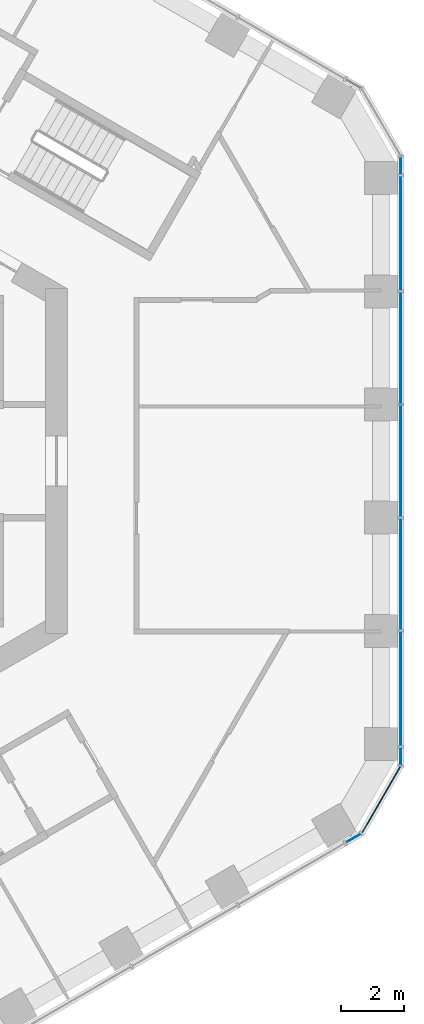
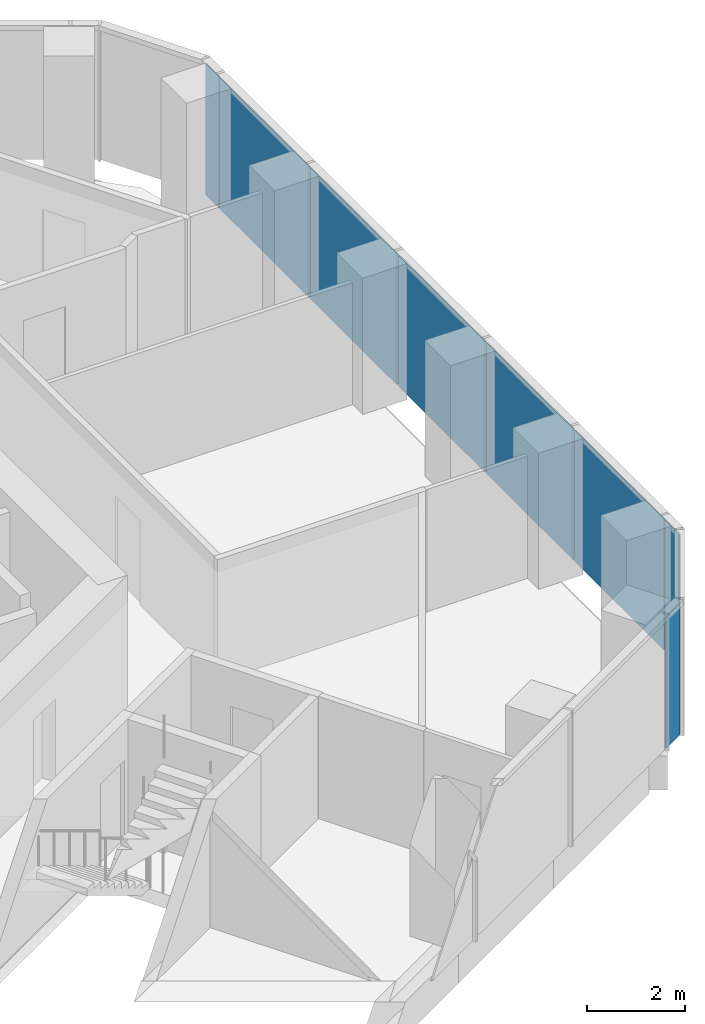
# One storey, part 11 of 19: 9 plates, 3 elements without a shape of their own.
"""IFC4 building model written with IfcOpenShell, lengths in metres."""

from ifc_helpers import new_model, si_unit, direction, frame, origin, origin_2d, place, context, subcontext, project, spatial, rectangle, extrude, material, layer, layer_set, type_object, element, aggregate, save


model = new_model("IFC4")

# Units and contexts
model_context = context("Model", 3, precision=1e-05, world=origin(), true_north=direction((0.0, 1.0)))
body_context = subcontext(model_context, "Body", "Model", "MODEL_VIEW")
ifc_project = project(units=[si_unit("LENGTHUNIT", "METRE"), si_unit("AREAUNIT", "SQUARE_METRE"), si_unit("VOLUMEUNIT", "CUBIC_METRE"), si_unit("PLANEANGLEUNIT", "RADIAN"), si_unit("MASSUNIT", "GRAM", prefix="KILO")], contexts=[model_context])

# Site, building, storey
site_placement = place(None, origin())
site = spatial("IfcSite", under=ifc_project, at=site_placement, CompositionType="ELEMENT")
building_placement = place(site_placement, origin())
building = spatial("IfcBuilding", under=site, at=building_placement, Name="Ayvan Gate Tower", CompositionType="ELEMENT")
storey_placement = place(building_placement, frame((0.0, 0.0, 106.89990234375)))
storey = spatial("IfcBuildingStorey", under=building, at=storey_placement, Name="L28", CompositionType="ELEMENT", Elevation=106.89990234375)

# Curtain wall, plates
ifc_material_1 = material(Name="Bronze anodised aluminium", Category="aluminium")
ifc_layer_1 = layer(ifc_material_1, 0.199951171875)
ifc_layer_set_1 = layer_set([ifc_layer_1], Name="Bronze anodised aluminium")
curtain_wall_type_1 = type_object("IfcCurtainWallType", Name="Stick curtain wall CW-1", PredefinedType="NOTDEFINED", material=ifc_layer_set_1)
curtain_wall_1_placement = place(storey_placement, origin())
curtain_wall_1 = element("IfcCurtainWall", 1, at=curtain_wall_1_placement, inside=storey, type_object=curtain_wall_type_1, Name="Stick curtain wall CW-1 L28", PredefinedType="NOTDEFINED")
ifc_material_2 = material(Name="Clear low-iron laminated glass", Category="glass")
ifc_layer_2 = layer(ifc_material_2, 0.028076171875)
ifc_layer_set_2 = layer_set([ifc_layer_2], Name="Clear low-iron laminated glass")
plate_type_1 = type_object("IfcPlateType", Name="Stick curtain wall CW-1 glass panel", PredefinedType="CURTAIN_PANEL", material=ifc_layer_set_2)
plate_1_placement = place(storey_placement, frame((20.110595703125, -7.261474609375, 0.0), z_axis=(0.0, 0.0, 1.0), x_axis=(0.0, 1.0, 0.0)))
plate_1 = element("IfcPlate", 2, at=plate_1_placement, type_object=plate_type_1, Name="CW-1 glass panel 1", PredefinedType="CURTAIN_PANEL", context=body_context, shape_type="SweptSolid", body=[
    extrude(rectangle(XDim=3.657958984375, YDim=0.028076171875, at=origin_2d()), origin(), (0.0, 0.0, 1.0), 3.280029296875),
])
plate_2_placement = place(storey_placement, frame((20.110595703125, -3.6015625, 0.0), z_axis=(0.0, 0.0, 1.0), x_axis=(0.0, 1.0, 0.0)))
plate_2 = element("IfcPlate", 3, at=plate_2_placement, type_object=plate_type_1, Name="CW-1 glass panel 2", PredefinedType="CURTAIN_PANEL", context=body_context, shape_type="SweptSolid", body=[
    extrude(rectangle(XDim=3.5419921875, YDim=0.028076171875, at=origin_2d()), origin(), (0.0, 0.0, 1.0), 3.280029296875),
])
plate_3_placement = place(storey_placement, frame((20.110595703125, 0.0, 0.0), z_axis=(0.0, 0.0, 1.0), x_axis=(0.0, 1.0, 0.0)))
plate_3 = element("IfcPlate", 4, at=plate_3_placement, type_object=plate_type_1, Name="CW-1 glass panel 3", PredefinedType="CURTAIN_PANEL", context=body_context, shape_type="SweptSolid", body=[
    extrude(rectangle(XDim=3.541015625, YDim=0.028076171875, at=origin_2d()), origin(), (0.0, 0.0, 1.0), 3.280029296875),
])
plate_4_placement = place(storey_placement, frame((20.110595703125, 3.6015625, 0.0), z_axis=(0.0, 0.0, 1.0), x_axis=(0.0, 1.0, 0.0)))
plate_4 = element("IfcPlate", 5, at=plate_4_placement, type_object=plate_type_1, Name="CW-1 glass panel 4", PredefinedType="CURTAIN_PANEL", context=body_context, shape_type="SweptSolid", body=[
    extrude(rectangle(XDim=3.5419921875, YDim=0.028076171875, at=origin_2d()), origin(), (0.0, 0.0, 1.0), 3.280029296875),
])
plate_5_placement = place(storey_placement, frame((20.110595703125, 7.261474609375, 0.0), z_axis=(0.0, 0.0, 1.0), x_axis=(0.0, 1.0, 0.0)))
plate_5 = element("IfcPlate", 6, at=plate_5_placement, type_object=plate_type_1, Name="CW-1 glass panel 5", PredefinedType="CURTAIN_PANEL", context=body_context, shape_type="SweptSolid", body=[
    extrude(rectangle(XDim=3.657958984375, YDim=0.028076171875, at=origin_2d()), origin(), (0.0, 0.0, 1.0), 3.280029296875),
])
aggregate(curtain_wall_1, [plate_1, plate_2, plate_3, plate_4, plate_5])

ifc_layer_3 = layer(ifc_material_1, 0.199951171875)
ifc_layer_set_3 = layer_set([ifc_layer_3], Name="Bronze anodised aluminium")
curtain_wall_type_2 = type_object("IfcCurtainWallType", Name="Stick curtain wall CW-6", PredefinedType="NOTDEFINED", material=ifc_layer_set_3)
curtain_wall_2_placement = place(storey_placement, origin())
curtain_wall_2 = element("IfcCurtainWall", 7, at=curtain_wall_2_placement, inside=storey, type_object=curtain_wall_type_2, Name="Stick curtain wall CW-6 L28", PredefinedType="NOTDEFINED")
ifc_layer_4 = layer(ifc_material_2, 0.028076171875)
ifc_layer_set_4 = layer_set([ifc_layer_4], Name="Clear low-iron laminated glass")
plate_type_2 = type_object("IfcPlateType", Name="Stick curtain wall CW-6 glass panel", PredefinedType="CURTAIN_PANEL", material=ifc_layer_set_4)
plate_6_placement = place(storey_placement, frame((18.607421875, -11.9990234375, 0.0), z_axis=(0.0, 0.0, 1.0), x_axis=(0.866025403784, 0.5, 0.0)))
plate_6 = element("IfcPlate", 8, at=plate_6_placement, type_object=plate_type_2, Name="CW-6 glass panel 1", PredefinedType="CURTAIN_PANEL", context=body_context, shape_type="SweptSolid", body=[
    extrude(rectangle(XDim=0.550048828125, YDim=0.028076171875, at=origin_2d()), origin(), (0.0, 0.0, 1.0), 3.280029296875),
])
plate_7_placement = place(storey_placement, frame((19.489013671875, -10.772216796875, 0.0), z_axis=(0.0, 0.0, 1.0), x_axis=(0.5, 0.866025403784, 0.0)))
plate_7 = element("IfcPlate", 9, at=plate_7_placement, type_object=plate_type_2, Name="CW-6 glass panel 2", PredefinedType="CURTAIN_PANEL", context=body_context, shape_type="SweptSolid", body=[
    extrude(rectangle(XDim=2.4365234375, YDim=0.028076171875, at=origin_2d()), origin(), (0.0, 0.0, 1.0), 3.280029296875),
])
plate_8_placement = place(storey_placement, frame((20.110595703125, -9.3955078125, 0.0), z_axis=(0.0, 0.0, 1.0), x_axis=(0.0, 1.0, 0.0)))
plate_8 = element("IfcPlate", 10, at=plate_8_placement, type_object=plate_type_2, Name="CW-6 glass panel 3", PredefinedType="CURTAIN_PANEL", context=body_context, shape_type="SweptSolid", body=[
    extrude(rectangle(XDim=0.550048828125, YDim=0.028076171875, at=origin_2d()), origin(), (0.0, 0.0, 1.0), 3.280029296875),
])
aggregate(curtain_wall_2, [plate_6, plate_7, plate_8])

# Curtain wall, plate
curtain_wall_3_placement = place(storey_placement, origin())
curtain_wall_3 = element("IfcCurtainWall", 11, at=curtain_wall_3_placement, inside=storey, type_object=curtain_wall_type_2, Name="Stick curtain wall CW-6 L28", PredefinedType="NOTDEFINED")
plate_9_placement = place(storey_placement, frame((20.110595703125, 9.3955078125, 0.0), z_axis=(0.0, 0.0, 1.0), x_axis=(0.0, 1.0, 0.0)))
plate_9 = element("IfcPlate", 12, at=plate_9_placement, type_object=plate_type_2, Name="CW-6 glass panel 1", PredefinedType="CURTAIN_PANEL", context=body_context, shape_type="SweptSolid", body=[
    extrude(rectangle(XDim=0.550048828125, YDim=0.028076171875, at=origin_2d()), origin(), (0.0, 0.0, 1.0), 3.280029296875),
])
aggregate(curtain_wall_3, [plate_9])

save(model, "model.ifc")
